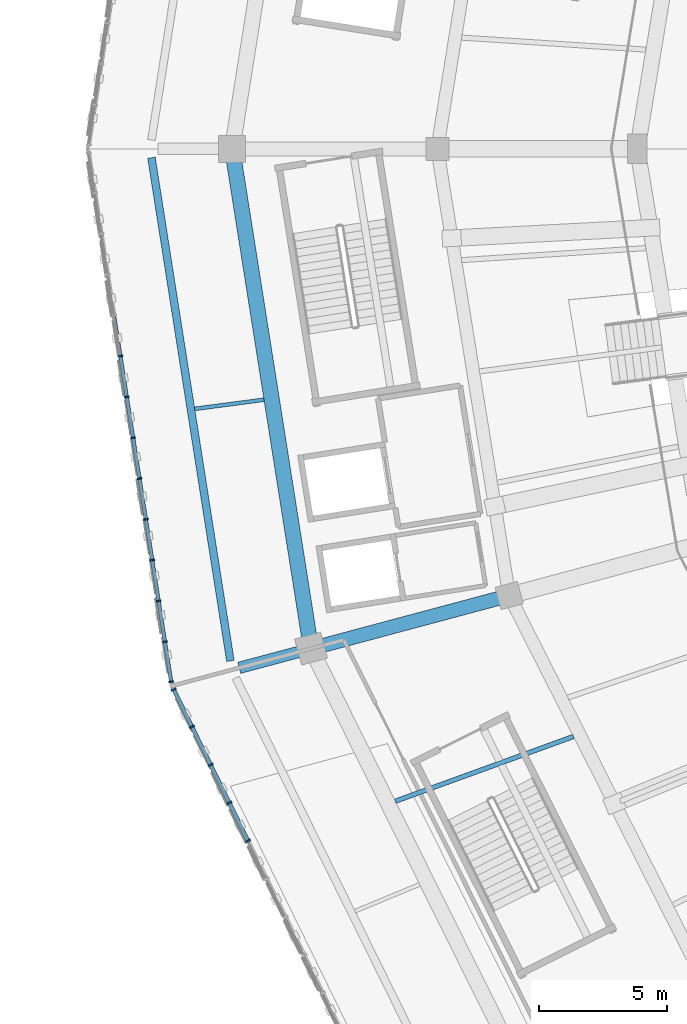
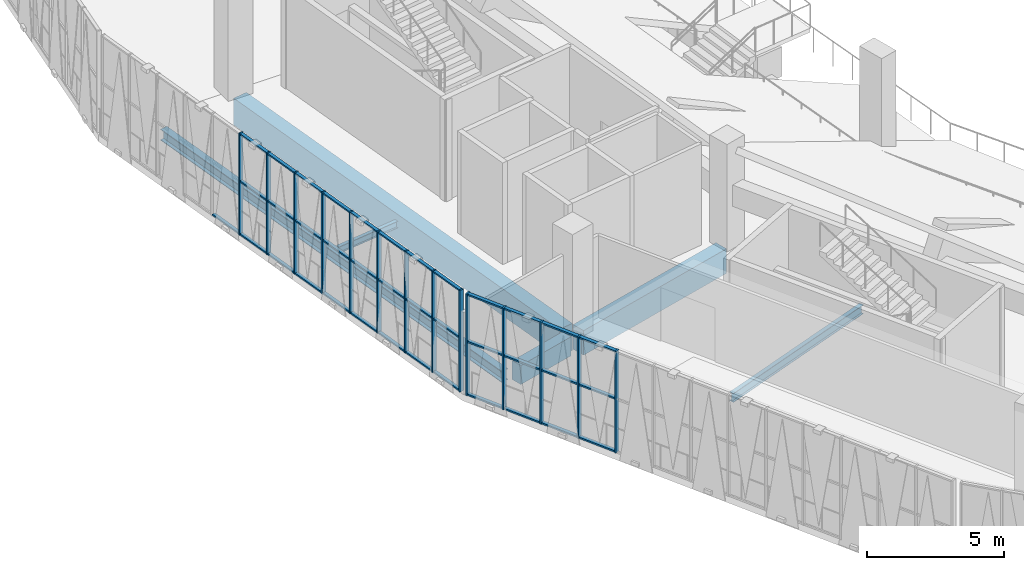
# One storey, part 18 of 152: 51 members, 6 beams, 2 elements without a shape of their own.
"""IFC4 building model written with IfcOpenShell, lengths in metres."""

from ifc_helpers import new_model, si_unit, direction, frame, origin, origin_2d, place, context, subcontext, project, spatial, rectangle, i_section, extrude, material, material_profile, profile_set, type_object, element, aggregate, save


model = new_model("IFC4")

# Units and contexts
model_context = context("Model", 3, precision=1e-05, world=origin(), true_north=direction((0.0, 1.0)))
body_context = subcontext(model_context, "Body", "Model", "MODEL_VIEW")
ifc_project = project(units=[si_unit("LENGTHUNIT", "METRE"), si_unit("AREAUNIT", "SQUARE_METRE"), si_unit("VOLUMEUNIT", "CUBIC_METRE"), si_unit("PLANEANGLEUNIT", "RADIAN"), si_unit("MASSUNIT", "GRAM", prefix="KILO")], contexts=[model_context])

# Site, building, storey
site_placement = place(None, origin())
site = spatial("IfcSite", under=ifc_project, at=site_placement, CompositionType="ELEMENT")
building_placement = place(site_placement, origin())
building = spatial("IfcBuilding", under=site, at=building_placement, Name="Zevraka Park Crest Stadium", CompositionType="ELEMENT")
storey_placement = place(building_placement, frame((0.0, 0.0, 15.0)))
storey = spatial("IfcBuildingStorey", under=building, at=storey_placement, Name="L03", CompositionType="ELEMENT", Elevation=15.0)

# Beams
ifc_material_1 = material(Name="Concrete C40/50", Category="concrete")
ifc_material_profile_1 = material_profile(ifc_material_1, rectangle(XDim=0.550048828125, YDim=1.10009765625, at=origin_2d()), Name="RC 1100x550")
ifc_profile_set_1 = profile_set([ifc_material_profile_1], Name="Concrete C40/50")
beam_type_1 = type_object("IfcBeamType", Name="BG02", PredefinedType="BEAM", material=ifc_profile_set_1)
beam_1_placement = place(storey_placement, frame((32.214111328125, 74.5029296875, -0.56005859375), z_axis=(-0.965968812251, -0.258658565986, 0.0), x_axis=(0.258658565986, -0.965968812251, 0.0)))
element("IfcBeam", 1, at=beam_1_placement, inside=storey, type_object=beam_type_1, Name="Radial Girder BG02 L03-CD-13", PredefinedType="BEAM", context=body_context, shape_type="SweptSolid", body=[
    extrude(rectangle(XDim=0.550048828125, YDim=1.10009765625, at=origin_2d()), origin(), (0.0, 0.0, 1.0), 7.39892578125),
])
ifc_material_2 = material(Name="Concrete C40/50", Category="concrete")
ifc_material_profile_2 = material_profile(ifc_material_2, rectangle(XDim=0.449951171875, YDim=0.85009765625, at=origin_2d()), Name="RC 850x450")
ifc_profile_set_2 = profile_set([ifc_material_profile_2], Name="Concrete C40/50")
beam_type_2 = type_object("IfcBeamType", Name="BG03", PredefinedType="BEAM", material=ifc_profile_set_2)
beam_2_placement = place(storey_placement, frame((24.487060546875, 72.43310546875, -0.43505859375), z_axis=(-0.965992888406, -0.258568636051, 0.0), x_axis=(0.258568636051, -0.965992888406, 0.0)))
element("IfcBeam", 2, at=beam_2_placement, inside=storey, type_object=beam_type_2, Name="Radial Girder BG03 L03-DE-13", PredefinedType="BEAM", context=body_context, shape_type="SweptSolid", body=[
    extrude(rectangle(XDim=0.449951171875, YDim=0.85009765625, at=origin_2d()), origin(), (0.0, 0.0, 1.0), 2.599365234375),
])

# Curtain wall, members
ifc_material_3 = material(Name="Anodised architectural aluminium and laminated safety glass", Category="aluminium")
curtain_wall_type_1 = type_object("IfcCurtainWallType", Name="CW11", PredefinedType="NOTDEFINED", material=ifc_material_3)
curtain_wall_1_placement = place(storey_placement, origin())
curtain_wall_1 = element("IfcCurtainWall", 3, at=curtain_wall_1_placement, inside=storey, type_object=curtain_wall_type_1, Name="Unitised Ring Curtain Wall CW11 L03-12", PredefinedType="NOTDEFINED")
ifc_material_4 = material(Name="Anodised architectural aluminium", Category="aluminium")
ifc_material_profile_3 = material_profile(ifc_material_4, rectangle(XDim=0.179931640625, YDim=0.06494140625, at=origin_2d()), Name="ALU MULLION 180x65")
ifc_profile_set_3 = profile_set([ifc_material_profile_3], Name="Anodised architectural aluminium")
member_type_1 = type_object("IfcMemberType", Name="CM02", PredefinedType="MULLION", material=ifc_profile_set_3)
member_1_placement = place(storey_placement, frame((17.342041015625, 83.91748046875, 0.0), z_axis=(0.0, 0.0, 1.0), x_axis=(0.988050931267, 0.154127730222, 0.0)))
member_1 = element("IfcMember", 4, at=member_1_placement, type_object=member_type_1, Name="CW11 mullion 6", PredefinedType="MULLION", context=body_context, shape_type="SweptSolid", body=[
    extrude(rectangle(XDim=0.179931640625, YDim=0.06494140625, at=origin_2d()), origin(), (0.0, 0.0, 1.0), 4.5400390625),
])
member_2_placement = place(storey_placement, frame((17.59033203125, 82.326171875, 0.0), z_axis=(0.0, 0.0, 1.0), x_axis=(0.988050931267, 0.154127730222, 0.0)))
member_2 = element("IfcMember", 5, at=member_2_placement, type_object=member_type_1, Name="CW11 mullion 7", PredefinedType="MULLION", context=body_context, shape_type="SweptSolid", body=[
    extrude(rectangle(XDim=0.179931640625, YDim=0.06494140625, at=origin_2d()), origin(), (0.0, 0.0, 1.0), 4.5400390625),
])
member_3_placement = place(storey_placement, frame((17.838623046875, 80.73486328125, 0.0), z_axis=(0.0, 0.0, 1.0), x_axis=(0.988050931267, 0.154127730222, 0.0)))
member_3 = element("IfcMember", 6, at=member_3_placement, type_object=member_type_1, Name="CW11 mullion 8", PredefinedType="MULLION", context=body_context, shape_type="SweptSolid", body=[
    extrude(rectangle(XDim=0.179931640625, YDim=0.06494140625, at=origin_2d()), origin(), (0.0, 0.0, 1.0), 4.5400390625),
])
member_4_placement = place(storey_placement, frame((18.0869140625, 79.1435546875, 0.0), z_axis=(0.0, 0.0, 1.0), x_axis=(0.988050931267, 0.154127730222, 0.0)))
member_4 = element("IfcMember", 7, at=member_4_placement, type_object=member_type_1, Name="CW11 mullion 9", PredefinedType="MULLION", context=body_context, shape_type="SweptSolid", body=[
    extrude(rectangle(XDim=0.179931640625, YDim=0.06494140625, at=origin_2d()), origin(), (0.0, 0.0, 1.0), 4.5400390625),
])
member_5_placement = place(storey_placement, frame((18.3349609375, 77.55224609375, 0.0), z_axis=(0.0, 0.0, 1.0), x_axis=(0.988050931267, 0.154127730222, 0.0)))
member_5 = element("IfcMember", 8, at=member_5_placement, type_object=member_type_1, Name="CW11 mullion 10", PredefinedType="MULLION", context=body_context, shape_type="SweptSolid", body=[
    extrude(rectangle(XDim=0.179931640625, YDim=0.06494140625, at=origin_2d()), origin(), (0.0, 0.0, 1.0), 4.5400390625),
])
member_6_placement = place(storey_placement, frame((18.583251953125, 75.9609375, 0.0), z_axis=(0.0, 0.0, 1.0), x_axis=(0.988050931267, 0.154127730222, 0.0)))
member_6 = element("IfcMember", 9, at=member_6_placement, type_object=member_type_1, Name="CW11 mullion 11", PredefinedType="MULLION", context=body_context, shape_type="SweptSolid", body=[
    extrude(rectangle(XDim=0.179931640625, YDim=0.06494140625, at=origin_2d()), origin(), (0.0, 0.0, 1.0), 4.5400390625),
])
member_7_placement = place(storey_placement, frame((18.83154296875, 74.36962890625, 0.0), z_axis=(0.0, 0.0, 1.0), x_axis=(0.988050931267, 0.154127730222, 0.0)))
member_7 = element("IfcMember", 10, at=member_7_placement, type_object=member_type_1, Name="CW11 mullion 12", PredefinedType="MULLION", context=body_context, shape_type="SweptSolid", body=[
    extrude(rectangle(XDim=0.179931640625, YDim=0.06494140625, at=origin_2d()), origin(), (0.0, 0.0, 1.0), 4.5400390625),
])
member_8_placement = place(storey_placement, frame((19.079833984375, 72.7783203125, 0.0), z_axis=(0.0, 0.0, 1.0), x_axis=(0.988050931267, 0.154127730222, 0.0)))
member_8 = element("IfcMember", 11, at=member_8_placement, type_object=member_type_1, Name="CW11 mullion 13", PredefinedType="MULLION", context=body_context, shape_type="SweptSolid", body=[
    extrude(rectangle(XDim=0.179931640625, YDim=0.06494140625, at=origin_2d()), origin(), (0.0, 0.0, 1.0), 4.5400390625),
])
member_9_placement = place(storey_placement, frame((19.322998046875, 71.218994140625, 0.0), z_axis=(0.0, 0.0, 1.0), x_axis=(0.988050931267, 0.154127730222, 0.0)))
member_9 = element("IfcMember", 12, at=member_9_placement, type_object=member_type_1, Name="CW11 mullion 14", PredefinedType="MULLION", context=body_context, shape_type="SweptSolid", body=[
    extrude(rectangle(XDim=0.179931640625, YDim=0.06494140625, at=origin_2d()), origin(), (0.0, 0.0, 1.0), 4.5400390625),
])

ifc_material_5 = material(Name="Anodised architectural aluminium and laminated safety glass", Category="aluminium")
curtain_wall_type_2 = type_object("IfcCurtainWallType", Name="CW12", PredefinedType="NOTDEFINED", material=ifc_material_5)
curtain_wall_2_placement = place(storey_placement, origin())
curtain_wall_2 = element("IfcCurtainWall", 13, at=curtain_wall_2_placement, inside=storey, type_object=curtain_wall_type_2, Name="Unitised Ring Curtain Wall CW12 L03-13", PredefinedType="NOTDEFINED")
ifc_material_6 = material(Name="Anodised architectural aluminium", Category="aluminium")
ifc_material_profile_4 = material_profile(ifc_material_6, rectangle(XDim=0.199951171875, YDim=0.070068359375, at=origin_2d()), Name="ALU MULLION 200x70")
ifc_profile_set_4 = profile_set([ifc_material_profile_4], Name="Anodised architectural aluminium")
member_type_2 = type_object("IfcMemberType", Name="CM03", PredefinedType="MULLION", material=ifc_profile_set_4)
member_10_placement = place(storey_placement, frame((19.42041015625, 70.91455078125, 0.0), z_axis=(0.0, 0.0, 1.0), x_axis=(0.897670958396, 0.440666370912, 0.0)))
member_10 = element("IfcMember", 14, at=member_10_placement, type_object=member_type_2, Name="CW12 mullion 1", PredefinedType="MULLION", context=body_context, shape_type="SweptSolid", body=[
    extrude(rectangle(XDim=0.199951171875, YDim=0.070068359375, at=origin_2d()), origin(), (0.0, 0.0, 1.0), 4.5400390625),
])
member_11_placement = place(storey_placement, frame((20.13330078125, 69.462646484375, 0.0), z_axis=(0.0, 0.0, 1.0), x_axis=(0.897670958396, 0.440666370912, 0.0)))
member_11 = element("IfcMember", 15, at=member_11_placement, type_object=member_type_2, Name="CW12 mullion 2", PredefinedType="MULLION", context=body_context, shape_type="SweptSolid", body=[
    extrude(rectangle(XDim=0.199951171875, YDim=0.070068359375, at=origin_2d()), origin(), (0.0, 0.0, 1.0), 4.5400390625),
])
member_12_placement = place(storey_placement, frame((20.861572265625, 67.97900390625, 0.0), z_axis=(0.0, 0.0, 1.0), x_axis=(0.897670958396, 0.440666370912, 0.0)))
member_12 = element("IfcMember", 16, at=member_12_placement, type_object=member_type_2, Name="CW12 mullion 3", PredefinedType="MULLION", context=body_context, shape_type="SweptSolid", body=[
    extrude(rectangle(XDim=0.199951171875, YDim=0.070068359375, at=origin_2d()), origin(), (0.0, 0.0, 1.0), 4.5400390625),
])
member_13_placement = place(storey_placement, frame((21.589599609375, 66.49560546875, 0.0), z_axis=(0.0, 0.0, 1.0), x_axis=(0.897670958396, 0.440666370912, 0.0)))
member_13 = element("IfcMember", 17, at=member_13_placement, type_object=member_type_2, Name="CW12 mullion 4", PredefinedType="MULLION", context=body_context, shape_type="SweptSolid", body=[
    extrude(rectangle(XDim=0.199951171875, YDim=0.070068359375, at=origin_2d()), origin(), (0.0, 0.0, 1.0), 4.5400390625),
])
member_14_placement = place(storey_placement, frame((22.31787109375, 65.01220703125, 0.0), z_axis=(0.0, 0.0, 1.0), x_axis=(0.897670958396, 0.440666370912, 0.0)))
member_14 = element("IfcMember", 18, at=member_14_placement, type_object=member_type_2, Name="CW12 mullion 5", PredefinedType="MULLION", context=body_context, shape_type="SweptSolid", body=[
    extrude(rectangle(XDim=0.199951171875, YDim=0.070068359375, at=origin_2d()), origin(), (0.0, 0.0, 1.0), 4.5400390625),
])

# Member
ifc_material_7 = material(Name="Anodised architectural aluminium", Category="aluminium")
ifc_material_profile_5 = material_profile(ifc_material_7, rectangle(XDim=0.139892578125, YDim=0.06494140625, at=origin_2d()), Name="ALU TRANSOM 140x65")
ifc_profile_set_5 = profile_set([ifc_material_profile_5], Name="Anodised architectural aluminium")
member_type_3 = type_object("IfcMemberType", Name="CT02", PredefinedType="USERDEFINED", material=ifc_profile_set_5)
member_15_placement = place(storey_placement, frame((17.098876953125, 85.4765625, 0.032470703125), z_axis=(0.154169675764, -0.988044387199, 0.0), x_axis=(0.988044387199, 0.154169675764, 0.0)))
member_15 = element("IfcMember", 19, at=member_15_placement, type_object=member_type_3, Name="CW11 transom 5.1", ObjectType="TRANSOM", PredefinedType="USERDEFINED", context=body_context, shape_type="SweptSolid", body=[
    extrude(rectangle(XDim=0.139892578125, YDim=0.06494140625, at=origin_2d()), origin(), (0.0, 0.0, 1.0), 1.545654296875),
])

member_16_placement = place(storey_placement, frame((17.34716796875, 83.88525390625, 0.032470703125), z_axis=(0.154169675764, -0.988044387199, 0.0), x_axis=(0.988044387199, 0.154169675764, 0.0)))
member_16 = element("IfcMember", 20, at=member_16_placement, type_object=member_type_3, Name="CW11 transom 6.1", ObjectType="TRANSOM", PredefinedType="USERDEFINED", context=body_context, shape_type="SweptSolid", body=[
    extrude(rectangle(XDim=0.139892578125, YDim=0.06494140625, at=origin_2d()), origin(), (0.0, 0.0, 1.0), 1.545654296875),
])

member_17_placement = place(storey_placement, frame((17.34716796875, 83.88525390625, 2.39990234375), z_axis=(0.154169675764, -0.988044387199, 0.0), x_axis=(0.988044387199, 0.154169675764, 0.0)))
member_17 = element("IfcMember", 21, at=member_17_placement, type_object=member_type_3, Name="CW11 transom 6.2", ObjectType="TRANSOM", PredefinedType="USERDEFINED", context=body_context, shape_type="SweptSolid", body=[
    extrude(rectangle(XDim=0.139892578125, YDim=0.06494140625, at=origin_2d()), origin(), (0.0, 0.0, 1.0), 1.545654296875),
])

member_18_placement = place(storey_placement, frame((17.34716796875, 83.88525390625, 4.507568359375), z_axis=(0.154169675764, -0.988044387199, 0.0), x_axis=(0.988044387199, 0.154169675764, 0.0)))
member_18 = element("IfcMember", 22, at=member_18_placement, type_object=member_type_3, Name="CW11 transom 6.3", ObjectType="TRANSOM", PredefinedType="USERDEFINED", context=body_context, shape_type="SweptSolid", body=[
    extrude(rectangle(XDim=0.139892578125, YDim=0.06494140625, at=origin_2d()), origin(), (0.0, 0.0, 1.0), 1.545654296875),
])

member_19_placement = place(storey_placement, frame((17.595458984375, 82.2939453125, 0.032470703125), z_axis=(0.154015463856, -0.988068437353, 0.0), x_axis=(0.988068437353, 0.154015463856, 0.0)))
member_19 = element("IfcMember", 23, at=member_19_placement, type_object=member_type_3, Name="CW11 transom 7.1", ObjectType="TRANSOM", PredefinedType="USERDEFINED", context=body_context, shape_type="SweptSolid", body=[
    extrude(rectangle(XDim=0.139892578125, YDim=0.06494140625, at=origin_2d()), origin(), (0.0, 0.0, 1.0), 1.545654296875),
])

member_20_placement = place(storey_placement, frame((17.595458984375, 82.2939453125, 2.39990234375), z_axis=(0.154015463856, -0.988068437353, 0.0), x_axis=(0.988068437353, 0.154015463856, 0.0)))
member_20 = element("IfcMember", 24, at=member_20_placement, type_object=member_type_3, Name="CW11 transom 7.2", ObjectType="TRANSOM", PredefinedType="USERDEFINED", context=body_context, shape_type="SweptSolid", body=[
    extrude(rectangle(XDim=0.139892578125, YDim=0.06494140625, at=origin_2d()), origin(), (0.0, 0.0, 1.0), 1.545654296875),
])

member_21_placement = place(storey_placement, frame((17.595458984375, 82.2939453125, 4.507568359375), z_axis=(0.154015463856, -0.988068437353, 0.0), x_axis=(0.988068437353, 0.154015463856, 0.0)))
member_21 = element("IfcMember", 25, at=member_21_placement, type_object=member_type_3, Name="CW11 transom 7.3", ObjectType="TRANSOM", PredefinedType="USERDEFINED", context=body_context, shape_type="SweptSolid", body=[
    extrude(rectangle(XDim=0.139892578125, YDim=0.06494140625, at=origin_2d()), origin(), (0.0, 0.0, 1.0), 1.545654296875),
])

member_22_placement = place(storey_placement, frame((17.843505859375, 80.70263671875, 0.032470703125), z_axis=(0.154169675764, -0.988044387199, 0.0), x_axis=(0.988044387199, 0.154169675764, 0.0)))
member_22 = element("IfcMember", 26, at=member_22_placement, type_object=member_type_3, Name="CW11 transom 8.1", ObjectType="TRANSOM", PredefinedType="USERDEFINED", context=body_context, shape_type="SweptSolid", body=[
    extrude(rectangle(XDim=0.139892578125, YDim=0.06494140625, at=origin_2d()), origin(), (0.0, 0.0, 1.0), 1.545654296875),
])

member_23_placement = place(storey_placement, frame((17.843505859375, 80.70263671875, 2.39990234375), z_axis=(0.154169675764, -0.988044387199, 0.0), x_axis=(0.988044387199, 0.154169675764, 0.0)))
member_23 = element("IfcMember", 27, at=member_23_placement, type_object=member_type_3, Name="CW11 transom 8.2", ObjectType="TRANSOM", PredefinedType="USERDEFINED", context=body_context, shape_type="SweptSolid", body=[
    extrude(rectangle(XDim=0.139892578125, YDim=0.06494140625, at=origin_2d()), origin(), (0.0, 0.0, 1.0), 1.545654296875),
])

member_24_placement = place(storey_placement, frame((17.843505859375, 80.70263671875, 4.507568359375), z_axis=(0.154169675764, -0.988044387199, 0.0), x_axis=(0.988044387199, 0.154169675764, 0.0)))
member_24 = element("IfcMember", 28, at=member_24_placement, type_object=member_type_3, Name="CW11 transom 8.3", ObjectType="TRANSOM", PredefinedType="USERDEFINED", context=body_context, shape_type="SweptSolid", body=[
    extrude(rectangle(XDim=0.139892578125, YDim=0.06494140625, at=origin_2d()), origin(), (0.0, 0.0, 1.0), 1.545654296875),
])

member_25_placement = place(storey_placement, frame((18.091796875, 79.111328125, 0.032470703125), z_axis=(0.154169675764, -0.988044387199, 0.0), x_axis=(0.988044387199, 0.154169675764, 0.0)))
member_25 = element("IfcMember", 29, at=member_25_placement, type_object=member_type_3, Name="CW11 transom 9.1", ObjectType="TRANSOM", PredefinedType="USERDEFINED", context=body_context, shape_type="SweptSolid", body=[
    extrude(rectangle(XDim=0.139892578125, YDim=0.06494140625, at=origin_2d()), origin(), (0.0, 0.0, 1.0), 1.545654296875),
])

member_26_placement = place(storey_placement, frame((18.091796875, 79.111328125, 2.39990234375), z_axis=(0.154169675764, -0.988044387199, 0.0), x_axis=(0.988044387199, 0.154169675764, 0.0)))
member_26 = element("IfcMember", 30, at=member_26_placement, type_object=member_type_3, Name="CW11 transom 9.2", ObjectType="TRANSOM", PredefinedType="USERDEFINED", context=body_context, shape_type="SweptSolid", body=[
    extrude(rectangle(XDim=0.139892578125, YDim=0.06494140625, at=origin_2d()), origin(), (0.0, 0.0, 1.0), 1.545654296875),
])

member_27_placement = place(storey_placement, frame((18.091796875, 79.111328125, 4.507568359375), z_axis=(0.154169675764, -0.988044387199, 0.0), x_axis=(0.988044387199, 0.154169675764, 0.0)))
member_27 = element("IfcMember", 31, at=member_27_placement, type_object=member_type_3, Name="CW11 transom 9.3", ObjectType="TRANSOM", PredefinedType="USERDEFINED", context=body_context, shape_type="SweptSolid", body=[
    extrude(rectangle(XDim=0.139892578125, YDim=0.06494140625, at=origin_2d()), origin(), (0.0, 0.0, 1.0), 1.545654296875),
])

member_28_placement = place(storey_placement, frame((18.340087890625, 77.52001953125, 0.032470703125), z_axis=(0.154169675764, -0.988044387199, 0.0), x_axis=(0.988044387199, 0.154169675764, 0.0)))
member_28 = element("IfcMember", 32, at=member_28_placement, type_object=member_type_3, Name="CW11 transom 10.1", ObjectType="TRANSOM", PredefinedType="USERDEFINED", context=body_context, shape_type="SweptSolid", body=[
    extrude(rectangle(XDim=0.139892578125, YDim=0.06494140625, at=origin_2d()), origin(), (0.0, 0.0, 1.0), 1.545654296875),
])

member_29_placement = place(storey_placement, frame((18.340087890625, 77.52001953125, 2.39990234375), z_axis=(0.154169675764, -0.988044387199, 0.0), x_axis=(0.988044387199, 0.154169675764, 0.0)))
member_29 = element("IfcMember", 33, at=member_29_placement, type_object=member_type_3, Name="CW11 transom 10.2", ObjectType="TRANSOM", PredefinedType="USERDEFINED", context=body_context, shape_type="SweptSolid", body=[
    extrude(rectangle(XDim=0.139892578125, YDim=0.06494140625, at=origin_2d()), origin(), (0.0, 0.0, 1.0), 1.545654296875),
])

member_30_placement = place(storey_placement, frame((18.340087890625, 77.52001953125, 4.507568359375), z_axis=(0.154169675764, -0.988044387199, 0.0), x_axis=(0.988044387199, 0.154169675764, 0.0)))
member_30 = element("IfcMember", 34, at=member_30_placement, type_object=member_type_3, Name="CW11 transom 10.3", ObjectType="TRANSOM", PredefinedType="USERDEFINED", context=body_context, shape_type="SweptSolid", body=[
    extrude(rectangle(XDim=0.139892578125, YDim=0.06494140625, at=origin_2d()), origin(), (0.0, 0.0, 1.0), 1.545654296875),
])

member_31_placement = place(storey_placement, frame((18.58837890625, 75.9287109375, 0.032470703125), z_axis=(0.154015463856, -0.988068437353, 0.0), x_axis=(0.988068437353, 0.154015463856, 0.0)))
member_31 = element("IfcMember", 35, at=member_31_placement, type_object=member_type_3, Name="CW11 transom 11.1", ObjectType="TRANSOM", PredefinedType="USERDEFINED", context=body_context, shape_type="SweptSolid", body=[
    extrude(rectangle(XDim=0.139892578125, YDim=0.06494140625, at=origin_2d()), origin(), (0.0, 0.0, 1.0), 1.545654296875),
])

member_32_placement = place(storey_placement, frame((18.58837890625, 75.9287109375, 2.39990234375), z_axis=(0.154015463856, -0.988068437353, 0.0), x_axis=(0.988068437353, 0.154015463856, 0.0)))
member_32 = element("IfcMember", 36, at=member_32_placement, type_object=member_type_3, Name="CW11 transom 11.2", ObjectType="TRANSOM", PredefinedType="USERDEFINED", context=body_context, shape_type="SweptSolid", body=[
    extrude(rectangle(XDim=0.139892578125, YDim=0.06494140625, at=origin_2d()), origin(), (0.0, 0.0, 1.0), 1.545654296875),
])

member_33_placement = place(storey_placement, frame((18.58837890625, 75.9287109375, 4.507568359375), z_axis=(0.154015463856, -0.988068437353, 0.0), x_axis=(0.988068437353, 0.154015463856, 0.0)))
member_33 = element("IfcMember", 37, at=member_33_placement, type_object=member_type_3, Name="CW11 transom 11.3", ObjectType="TRANSOM", PredefinedType="USERDEFINED", context=body_context, shape_type="SweptSolid", body=[
    extrude(rectangle(XDim=0.139892578125, YDim=0.06494140625, at=origin_2d()), origin(), (0.0, 0.0, 1.0), 1.545654296875),
])

member_34_placement = place(storey_placement, frame((18.83642578125, 74.33740234375, 0.032470703125), z_axis=(0.154169675764, -0.988044387199, 0.0), x_axis=(0.988044387199, 0.154169675764, 0.0)))
member_34 = element("IfcMember", 38, at=member_34_placement, type_object=member_type_3, Name="CW11 transom 12.1", ObjectType="TRANSOM", PredefinedType="USERDEFINED", context=body_context, shape_type="SweptSolid", body=[
    extrude(rectangle(XDim=0.139892578125, YDim=0.06494140625, at=origin_2d()), origin(), (0.0, 0.0, 1.0), 1.545654296875),
])

member_35_placement = place(storey_placement, frame((18.83642578125, 74.33740234375, 2.39990234375), z_axis=(0.154169675764, -0.988044387199, 0.0), x_axis=(0.988044387199, 0.154169675764, 0.0)))
member_35 = element("IfcMember", 39, at=member_35_placement, type_object=member_type_3, Name="CW11 transom 12.2", ObjectType="TRANSOM", PredefinedType="USERDEFINED", context=body_context, shape_type="SweptSolid", body=[
    extrude(rectangle(XDim=0.139892578125, YDim=0.06494140625, at=origin_2d()), origin(), (0.0, 0.0, 1.0), 1.545654296875),
])

member_36_placement = place(storey_placement, frame((18.83642578125, 74.33740234375, 4.507568359375), z_axis=(0.154169675764, -0.988044387199, 0.0), x_axis=(0.988044387199, 0.154169675764, 0.0)))
member_36 = element("IfcMember", 40, at=member_36_placement, type_object=member_type_3, Name="CW11 transom 12.3", ObjectType="TRANSOM", PredefinedType="USERDEFINED", context=body_context, shape_type="SweptSolid", body=[
    extrude(rectangle(XDim=0.139892578125, YDim=0.06494140625, at=origin_2d()), origin(), (0.0, 0.0, 1.0), 1.545654296875),
])

member_37_placement = place(storey_placement, frame((19.084716796875, 72.74609375, 0.032470703125), z_axis=(0.154106133662, -0.988054299909, 0.0), x_axis=(0.988054299909, 0.154106133662, 0.0)))
member_37 = element("IfcMember", 41, at=member_37_placement, type_object=member_type_3, Name="CW11 transom 13.1", ObjectType="TRANSOM", PredefinedType="USERDEFINED", context=body_context, shape_type="SweptSolid", body=[
    extrude(rectangle(XDim=0.139892578125, YDim=0.06494140625, at=origin_2d()), origin(), (0.0, 0.0, 1.0), 1.512939453125),
])

member_38_placement = place(storey_placement, frame((19.084716796875, 72.74609375, 2.39990234375), z_axis=(0.154106133662, -0.988054299909, 0.0), x_axis=(0.988054299909, 0.154106133662, 0.0)))
member_38 = element("IfcMember", 42, at=member_38_placement, type_object=member_type_3, Name="CW11 transom 13.2", ObjectType="TRANSOM", PredefinedType="USERDEFINED", context=body_context, shape_type="SweptSolid", body=[
    extrude(rectangle(XDim=0.139892578125, YDim=0.06494140625, at=origin_2d()), origin(), (0.0, 0.0, 1.0), 1.512939453125),
])

member_39_placement = place(storey_placement, frame((19.084716796875, 72.74609375, 4.507568359375), z_axis=(0.154106133662, -0.988054299909, 0.0), x_axis=(0.988054299909, 0.154106133662, 0.0)))
member_39 = element("IfcMember", 43, at=member_39_placement, type_object=member_type_3, Name="CW11 transom 13.3", ObjectType="TRANSOM", PredefinedType="USERDEFINED", context=body_context, shape_type="SweptSolid", body=[
    extrude(rectangle(XDim=0.139892578125, YDim=0.06494140625, at=origin_2d()), origin(), (0.0, 0.0, 1.0), 1.512939453125),
])

aggregate(curtain_wall_1, [member_1, member_2, member_3, member_4, member_5, member_6, member_7, member_8, member_9, member_15, member_16, member_17, member_18, member_19, member_20, member_21, member_22, member_23, member_24, member_25, member_26, member_27, member_28, member_29, member_30, member_31, member_32, member_33, member_34, member_35, member_36, member_37, member_38, member_39])

ifc_material_8 = material(Name="Anodised architectural aluminium", Category="aluminium")
ifc_material_profile_6 = material_profile(ifc_material_8, rectangle(XDim=0.14990234375, YDim=0.070068359375, at=origin_2d()), Name="ALU TRANSOM 150x70")
ifc_profile_set_6 = profile_set([ifc_material_profile_6], Name="Anodised architectural aluminium")
member_type_4 = type_object("IfcMemberType", Name="CT03", PredefinedType="USERDEFINED", material=ifc_profile_set_6)
member_40_placement = place(storey_placement, frame((19.435791015625, 70.883056640625, 0.034912109375), z_axis=(0.440765638904, -0.89762222096, 0.0), x_axis=(0.89762222096, 0.440765638904, 0.0)))
member_40 = element("IfcMember", 44, at=member_40_placement, type_object=member_type_4, Name="CW12 transom 1.1", ObjectType="TRANSOM", PredefinedType="USERDEFINED", context=body_context, shape_type="SweptSolid", body=[
    extrude(rectangle(XDim=0.14990234375, YDim=0.070068359375, at=origin_2d()), origin(), (0.0, 0.0, 1.0), 1.547607421875),
])

member_41_placement = place(storey_placement, frame((19.435791015625, 70.883056640625, 2.39990234375), z_axis=(0.440765638904, -0.89762222096, 0.0), x_axis=(0.89762222096, 0.440765638904, 0.0)))
member_41 = element("IfcMember", 45, at=member_41_placement, type_object=member_type_4, Name="CW12 transom 1.2", ObjectType="TRANSOM", PredefinedType="USERDEFINED", context=body_context, shape_type="SweptSolid", body=[
    extrude(rectangle(XDim=0.14990234375, YDim=0.070068359375, at=origin_2d()), origin(), (0.0, 0.0, 1.0), 1.547607421875),
])

member_42_placement = place(storey_placement, frame((19.435791015625, 70.883056640625, 4.5048828125), z_axis=(0.440765638904, -0.89762222096, 0.0), x_axis=(0.89762222096, 0.440765638904, 0.0)))
member_42 = element("IfcMember", 46, at=member_42_placement, type_object=member_type_4, Name="CW12 transom 1.3", ObjectType="TRANSOM", PredefinedType="USERDEFINED", context=body_context, shape_type="SweptSolid", body=[
    extrude(rectangle(XDim=0.14990234375, YDim=0.070068359375, at=origin_2d()), origin(), (0.0, 0.0, 1.0), 1.547607421875),
])

member_43_placement = place(storey_placement, frame((20.148681640625, 69.43115234375, 0.034912109375), z_axis=(0.440598601408, -0.897704223248, 0.0), x_axis=(0.897704223248, 0.440598601408, 0.0)))
member_43 = element("IfcMember", 47, at=member_43_placement, type_object=member_type_4, Name="CW12 transom 2.1", ObjectType="TRANSOM", PredefinedType="USERDEFINED", context=body_context, shape_type="SweptSolid", body=[
    extrude(rectangle(XDim=0.14990234375, YDim=0.070068359375, at=origin_2d()), origin(), (0.0, 0.0, 1.0), 1.58251953125),
])

member_44_placement = place(storey_placement, frame((20.148681640625, 69.43115234375, 2.39990234375), z_axis=(0.440598601408, -0.897704223248, 0.0), x_axis=(0.897704223248, 0.440598601408, 0.0)))
member_44 = element("IfcMember", 48, at=member_44_placement, type_object=member_type_4, Name="CW12 transom 2.2", ObjectType="TRANSOM", PredefinedType="USERDEFINED", context=body_context, shape_type="SweptSolid", body=[
    extrude(rectangle(XDim=0.14990234375, YDim=0.070068359375, at=origin_2d()), origin(), (0.0, 0.0, 1.0), 1.58251953125),
])

member_45_placement = place(storey_placement, frame((20.148681640625, 69.43115234375, 4.5048828125), z_axis=(0.440598601408, -0.897704223248, 0.0), x_axis=(0.897704223248, 0.440598601408, 0.0)))
member_45 = element("IfcMember", 49, at=member_45_placement, type_object=member_type_4, Name="CW12 transom 2.3", ObjectType="TRANSOM", PredefinedType="USERDEFINED", context=body_context, shape_type="SweptSolid", body=[
    extrude(rectangle(XDim=0.14990234375, YDim=0.070068359375, at=origin_2d()), origin(), (0.0, 0.0, 1.0), 1.58251953125),
])

member_46_placement = place(storey_placement, frame((20.876953125, 67.94775390625, 0.034912109375), z_axis=(0.440598601408, -0.897704223248, 0.0), x_axis=(0.897704223248, 0.440598601408, 0.0)))
member_46 = element("IfcMember", 50, at=member_46_placement, type_object=member_type_4, Name="CW12 transom 3.1", ObjectType="TRANSOM", PredefinedType="USERDEFINED", context=body_context, shape_type="SweptSolid", body=[
    extrude(rectangle(XDim=0.14990234375, YDim=0.070068359375, at=origin_2d()), origin(), (0.0, 0.0, 1.0), 1.58251953125),
])

member_47_placement = place(storey_placement, frame((20.876953125, 67.94775390625, 2.39990234375), z_axis=(0.440598601408, -0.897704223248, 0.0), x_axis=(0.897704223248, 0.440598601408, 0.0)))
member_47 = element("IfcMember", 51, at=member_47_placement, type_object=member_type_4, Name="CW12 transom 3.2", ObjectType="TRANSOM", PredefinedType="USERDEFINED", context=body_context, shape_type="SweptSolid", body=[
    extrude(rectangle(XDim=0.14990234375, YDim=0.070068359375, at=origin_2d()), origin(), (0.0, 0.0, 1.0), 1.58251953125),
])

member_48_placement = place(storey_placement, frame((20.876953125, 67.94775390625, 4.5048828125), z_axis=(0.440598601408, -0.897704223248, 0.0), x_axis=(0.897704223248, 0.440598601408, 0.0)))
member_48 = element("IfcMember", 52, at=member_48_placement, type_object=member_type_4, Name="CW12 transom 3.3", ObjectType="TRANSOM", PredefinedType="USERDEFINED", context=body_context, shape_type="SweptSolid", body=[
    extrude(rectangle(XDim=0.14990234375, YDim=0.070068359375, at=origin_2d()), origin(), (0.0, 0.0, 1.0), 1.58251953125),
])

member_49_placement = place(storey_placement, frame((21.605224609375, 66.464111328125, 0.034912109375), z_axis=(0.440598601408, -0.897704223248, 0.0), x_axis=(0.897704223248, 0.440598601408, 0.0)))
member_49 = element("IfcMember", 53, at=member_49_placement, type_object=member_type_4, Name="CW12 transom 4.1", ObjectType="TRANSOM", PredefinedType="USERDEFINED", context=body_context, shape_type="SweptSolid", body=[
    extrude(rectangle(XDim=0.14990234375, YDim=0.070068359375, at=origin_2d()), origin(), (0.0, 0.0, 1.0), 1.58251953125),
])

member_50_placement = place(storey_placement, frame((21.605224609375, 66.464111328125, 2.39990234375), z_axis=(0.440598601408, -0.897704223248, 0.0), x_axis=(0.897704223248, 0.440598601408, 0.0)))
member_50 = element("IfcMember", 54, at=member_50_placement, type_object=member_type_4, Name="CW12 transom 4.2", ObjectType="TRANSOM", PredefinedType="USERDEFINED", context=body_context, shape_type="SweptSolid", body=[
    extrude(rectangle(XDim=0.14990234375, YDim=0.070068359375, at=origin_2d()), origin(), (0.0, 0.0, 1.0), 1.58251953125),
])

member_51_placement = place(storey_placement, frame((21.605224609375, 66.464111328125, 4.5048828125), z_axis=(0.440598601408, -0.897704223248, 0.0), x_axis=(0.897704223248, 0.440598601408, 0.0)))
member_51 = element("IfcMember", 55, at=member_51_placement, type_object=member_type_4, Name="CW12 transom 4.3", ObjectType="TRANSOM", PredefinedType="USERDEFINED", context=body_context, shape_type="SweptSolid", body=[
    extrude(rectangle(XDim=0.14990234375, YDim=0.070068359375, at=origin_2d()), origin(), (0.0, 0.0, 1.0), 1.58251953125),
])

aggregate(curtain_wall_2, [member_10, member_11, member_12, member_13, member_14, member_40, member_41, member_42, member_43, member_44, member_45, member_46, member_47, member_48, member_49, member_50, member_51])

# Beams
ifc_material_9 = material(Name="Concrete C40/50", Category="concrete")
ifc_material_profile_7 = material_profile(ifc_material_9, rectangle(XDim=0.60009765625, YDim=1.199951171875, at=origin_2d()), Name="RC 1200x600")
ifc_profile_set_7 = profile_set([ifc_material_profile_7], Name="Concrete C40/50")
beam_type_3 = type_object("IfcBeamType", Name="RB01", PredefinedType="BEAM", material=ifc_profile_set_7)
beam_3_placement = place(storey_placement, frame((21.759033203125, 91.625, -0.610107421875), z_axis=(0.155972486086, -0.987761400129, 0.0), x_axis=(0.987761400129, 0.155972486086, 0.0)))
element("IfcBeam", 56, at=beam_3_placement, inside=storey, type_object=beam_type_3, Name="Ring Beam RB01 L03-D-12", PredefinedType="BEAM", context=body_context, shape_type="SweptSolid", body=[
    extrude(rectangle(XDim=0.60009765625, YDim=1.199951171875, at=origin_2d()), origin(), (0.0, 0.0, 1.0), 18.97119140625),
])
ifc_material_10 = material(Name="Steel S355", Category="steel")
ifc_material_profile_8 = material_profile(ifc_material_10, i_section(OverallWidth=0.300048828125, OverallDepth=0.5, WebThickness=0.014404296875, FlangeThickness=0.028076171875, at=origin_2d()), Name="HEB 500")
ifc_profile_set_8 = profile_set([ifc_material_profile_8], Name="Steel S355")
beam_type_4 = type_object("IfcBeamType", Name="RB05", PredefinedType="BEAM", material=ifc_profile_set_8)
beam_4_placement = place(storey_placement, frame((18.553955078125, 91.654052734375, -0.60498046875), z_axis=(0.154952716421, -0.987921887435, 0.0), x_axis=(0.987921887435, 0.154952716421, 0.0)))
element("IfcBeam", 57, at=beam_4_placement, inside=storey, type_object=beam_type_4, Name="Ring Beam RB05 L03-E-12", PredefinedType="BEAM", context=body_context, shape_type="SweptSolid", body=[
    extrude(i_section(OverallWidth=0.300048828125, OverallDepth=0.5, WebThickness=0.014404296875, FlangeThickness=0.028076171875, at=origin_2d()), origin(), (0.0, 0.0, 1.0), 19.864990234375),
])
ifc_material_11 = material(Name="Steel S355", Category="steel")
ifc_material_profile_9 = material_profile(ifc_material_11, i_section(OverallWidth=0.14990234375, OverallDepth=0.300048828125, WebThickness=0.007080078125, FlangeThickness=0.0107421875, at=origin_2d()), Name="IPE 300")
ifc_profile_set_9 = profile_set([ifc_material_profile_9], Name="Steel S355")
beam_type_5 = type_object("IfcBeamType", Name="SJ01", PredefinedType="JOIST", material=ifc_profile_set_9)
beam_5_placement = place(storey_placement, frame((22.946044921875, 82.217041015625, -0.4580078125), z_axis=(-0.991431166896, -0.130630169971, 0.0), x_axis=(0.130630169971, -0.991431166896, 0.0)))
element("IfcBeam", 58, at=beam_5_placement, inside=storey, type_object=beam_type_5, Name="Floor Joist SJ01 L03-DE-12-1", PredefinedType="JOIST", context=body_context, shape_type="SweptSolid", body=[
    extrude(i_section(OverallWidth=0.14990234375, OverallDepth=0.300048828125, WebThickness=0.007080078125, FlangeThickness=0.0107421875, at=origin_2d()), origin(), (0.0, 0.0, 1.0), 2.732421875),
])
ifc_material_12 = material(Name="Steel S355", Category="steel")
ifc_material_profile_10 = material_profile(ifc_material_12, i_section(OverallWidth=0.179931640625, OverallDepth=0.39990234375, WebThickness=0.008544921875, FlangeThickness=0.013427734375, at=origin_2d()), Name="IPE 400")
ifc_profile_set_10 = profile_set([ifc_material_profile_10], Name="Steel S355")
beam_type_6 = type_object("IfcBeamType", Name="SJ09", PredefinedType="JOIST", material=ifc_profile_set_10)
beam_6_placement = place(storey_placement, frame((35.013916015625, 69.0869140625, -0.508056640625), z_axis=(-0.939772225385, -0.341801352243, 0.0), x_axis=(0.341801352243, -0.939772225385, 0.0)))
element("IfcBeam", 59, at=beam_6_placement, inside=storey, type_object=beam_type_6, Name="Floor Joist SJ09 L03-CD-13-1", PredefinedType="JOIST", context=body_context, shape_type="SweptSolid", body=[
    extrude(i_section(OverallWidth=0.179931640625, OverallDepth=0.39990234375, WebThickness=0.008544921875, FlangeThickness=0.013427734375, at=origin_2d()), origin(), (0.0, 0.0, 1.0), 7.3984375),
])

save(model, "model.ifc")
